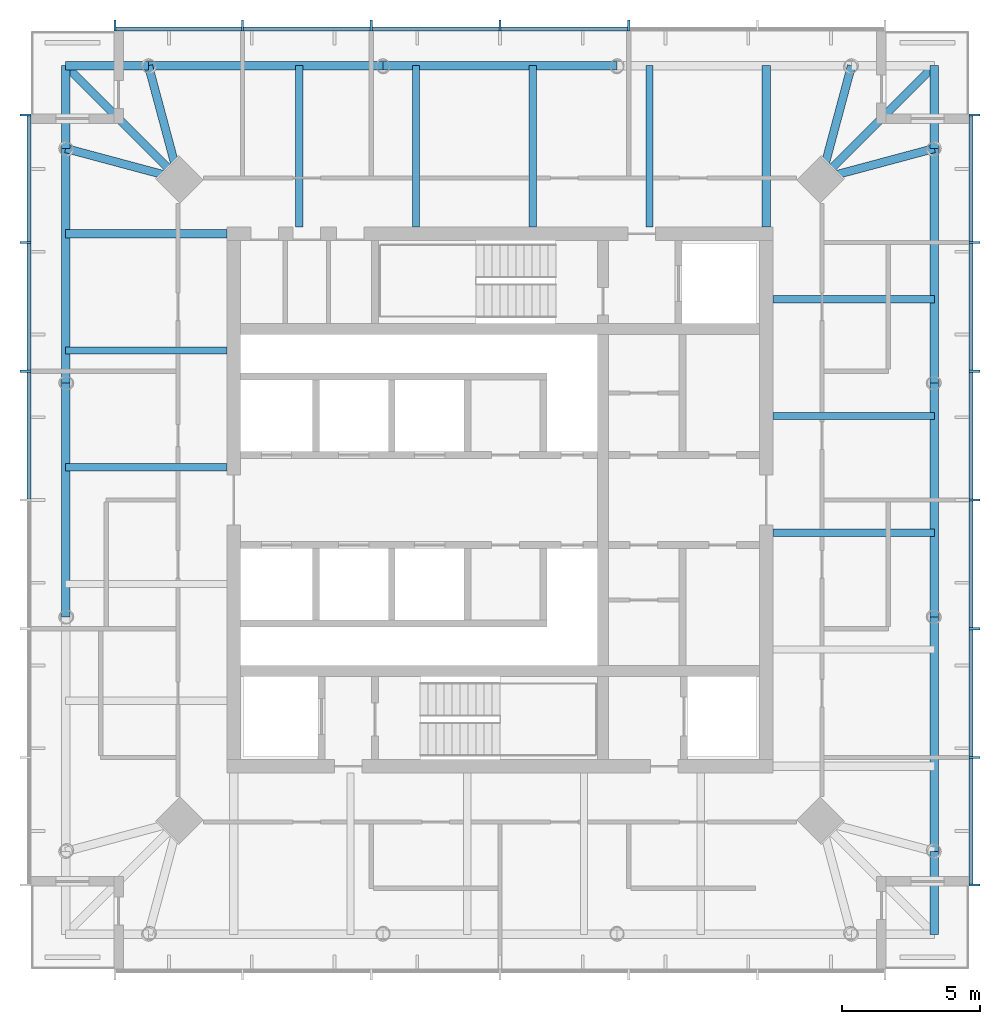
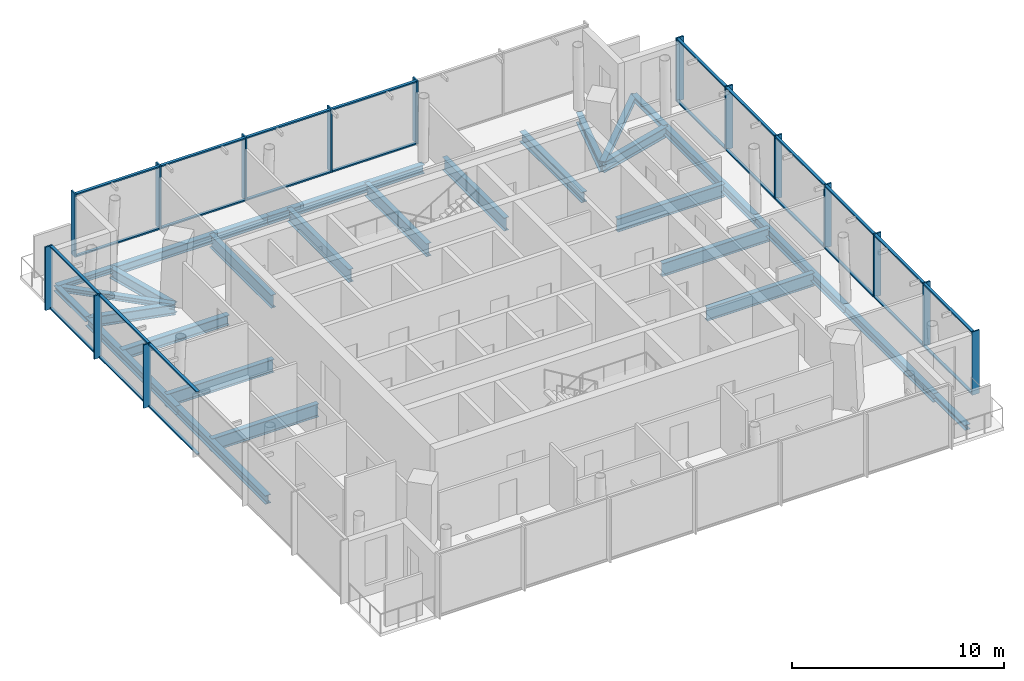
# One storey, part 2 of 7: 41 members, 28 beams, 3 elements without a shape of their own.
"""IFC4 building model written with IfcOpenShell, lengths in metres."""

from ifc_helpers import new_model, si_unit, direction, frame, origin, origin_2d, place, context, subcontext, project, spatial, rectangle, i_section, extrude, material, material_profile, profile_set, type_object, element, aggregate, save


model = new_model("IFC4")

# Units and contexts
model_context = context("Model", 3, precision=1e-05, world=origin(), true_north=direction((0.0, 1.0)))
body_context = subcontext(model_context, "Body", "Model", "MODEL_VIEW")
ifc_project = project(units=[si_unit("LENGTHUNIT", "METRE"), si_unit("AREAUNIT", "SQUARE_METRE"), si_unit("VOLUMEUNIT", "CUBIC_METRE"), si_unit("PLANEANGLEUNIT", "RADIAN"), si_unit("MASSUNIT", "GRAM", prefix="KILO")], contexts=[model_context])

# Site, building, storey
site_placement = place(None, origin())
site = spatial("IfcSite", under=ifc_project, at=site_placement, CompositionType="ELEMENT")
building_placement = place(site_placement, origin())
building = spatial("IfcBuilding", under=site, at=building_placement, Name="Ostroluk Exchange", CompositionType="ELEMENT")
storey_placement = place(building_placement, frame((0.0, 0.0, 279.39990234375)))
storey = spatial("IfcBuildingStorey", under=building, at=storey_placement, Name="L72", CompositionType="ELEMENT", Elevation=279.39990234375)

# Beams
ifc_material_1 = material(Name="Steel S355", Category="steel")
ifc_material_profile_1 = material_profile(ifc_material_1, i_section(OverallWidth=0.300048828125, OverallDepth=0.300048828125, WebThickness=0.010986328125, FlangeThickness=0.01904296875, FilletRadius=0.027099609375, at=origin_2d()), Name="HEB 300")
ifc_profile_set_1 = profile_set([ifc_material_profile_1], Name="Steel S355")
beam_type_1 = type_object("IfcBeamType", Name="Balcony beam HEB 300", PredefinedType="BEAM", material=ifc_profile_set_1)
beam_1_placement = place(storey_placement, frame((60.742919921875, 58.742919921875, -0.329833984375), z_axis=(0.0, 1.0, 0.0), x_axis=(-1.0, 0.0, 0.0)))
element("IfcBeam", 1, at=beam_1_placement, inside=storey, type_object=beam_type_1, Name="T1 east balcony beam a", PredefinedType="BEAM", context=body_context, shape_type="SweptSolid", body=[
    extrude(i_section(OverallWidth=0.300048828125, OverallDepth=0.300048828125, WebThickness=0.010986328125, FlangeThickness=0.01904296875, FilletRadius=0.027099609375, at=origin_2d()), origin(), (0.0, 0.0, 1.0), 3.0),
])
beam_2_placement = place(storey_placement, frame((56.642822265625, 57.642822265625, -0.329833984375), z_axis=(0.707106781187, 0.707106781187, 0.0), x_axis=(-0.707106781187, 0.707106781187, 0.0)))
element("IfcBeam", 2, at=beam_2_placement, inside=storey, type_object=beam_type_1, Name="T1 east balcony beam c", PredefinedType="BEAM", context=body_context, shape_type="SweptSolid", body=[
    extrude(i_section(OverallWidth=0.300048828125, OverallDepth=0.300048828125, WebThickness=0.010986328125, FlangeThickness=0.01904296875, FilletRadius=0.027099609375, at=origin_2d()), origin(), (0.0, 0.0, 1.0), 5.79833984375),
])
for number, where, z_axis, x_axis, name in (
    (3, (32.257080078125, 61.742919921875, -0.329833984375), (-1.0, 0.0, 0.0), (0.0, -1.0, 0.0), "T1 north balcony beam a"),
    (4, (29.257080078125, 58.742919921875, -0.329833984375), (0.0, 1.0, 0.0), (-1.0, 0.0, 0.0), "T1 north balcony beam b"),
):
    element("IfcBeam", number, at=place(storey_placement, frame(where, z_axis=z_axis, x_axis=x_axis)), inside=storey, type_object=beam_type_1, Name=name, PredefinedType="BEAM", context=body_context, shape_type="SweptSolid", body=[
        extrude(i_section(OverallWidth=0.300048828125, OverallDepth=0.300048828125, WebThickness=0.010986328125, FlangeThickness=0.01904296875, FilletRadius=0.027099609375, at=origin_2d()), origin(), (0.0, 0.0, 1.0), 3.0),
    ])
beam_3_placement = place(storey_placement, frame((33.357177734375, 57.642822265625, -0.329833984375), z_axis=(-0.707106781187, 0.707106781187, 0.0), x_axis=(-0.707106781187, -0.707106781187, 0.0)))
element("IfcBeam", 5, at=beam_3_placement, inside=storey, type_object=beam_type_1, Name="T1 north balcony beam c", PredefinedType="BEAM", context=body_context, shape_type="SweptSolid", body=[
    extrude(i_section(OverallWidth=0.300048828125, OverallDepth=0.300048828125, WebThickness=0.010986328125, FlangeThickness=0.01904296875, FilletRadius=0.027099609375, at=origin_2d()), origin(), (0.0, 0.0, 1.0), 5.79833984375),
])
beam_4_placement = place(storey_placement, frame((60.742919921875, 33.257080078125, -0.329833984375), z_axis=(0.0, -1.0, 0.0), x_axis=(1.0, 0.0, 0.0)))
element("IfcBeam", 6, at=beam_4_placement, inside=storey, type_object=beam_type_1, Name="T1 south balcony beam b", PredefinedType="BEAM", context=body_context, shape_type="SweptSolid", body=[
    extrude(i_section(OverallWidth=0.300048828125, OverallDepth=0.300048828125, WebThickness=0.010986328125, FlangeThickness=0.01904296875, FilletRadius=0.027099609375, at=origin_2d()), origin(), (0.0, 0.0, 1.0), 3.0),
])
ifc_material_2 = material(Name="Steel S355", Category="steel")
ifc_material_profile_2 = material_profile(ifc_material_2, i_section(OverallWidth=0.300048828125, OverallDepth=0.60009765625, WebThickness=0.015380859375, FlangeThickness=0.030029296875, FilletRadius=0.027099609375, at=origin_2d()), Name="HEB 600")
ifc_profile_set_2 = profile_set([ifc_material_profile_2], Name="Steel S355")
beam_type_2 = type_object("IfcBeamType", Name="Corner edge beam HEB 600", PredefinedType="SPANDREL", material=ifc_profile_set_2)
for number, where, z_axis, x_axis, name in (
    (7, (56.642822265625, 57.642822265625, -0.47998046875), (0.965838624319, 0.259144268261, 0.0), (-0.259144268261, 0.965838624319, 0.0), "T1 east corner edge beam a"),
    (8, (56.642822265625, 57.642822265625, -0.47998046875), (0.259144268261, 0.965838624319, 0.0), (-0.965838624319, 0.259144268261, 0.0), "T1 east corner edge beam b"),
    (9, (33.357177734375, 57.642822265625, -0.47998046875), (-0.259144268261, 0.965838624319, 0.0), (-0.965838624319, -0.259144268261, 0.0), "T1 north corner edge beam a"),
    (10, (33.357177734375, 57.642822265625, -0.47998046875), (-0.965838624319, 0.259144268261, 0.0), (-0.259144268261, -0.965838624319, 0.0), "T1 north corner edge beam b"),
):
    element("IfcBeam", number, at=place(storey_placement, frame(where, z_axis=z_axis, x_axis=x_axis)), inside=storey, type_object=beam_type_2, Name=name, PredefinedType="SPANDREL", context=body_context, shape_type="SweptSolid", body=[
        extrude(i_section(OverallWidth=0.300048828125, OverallDepth=0.60009765625, WebThickness=0.015380859375, FlangeThickness=0.030029296875, FilletRadius=0.027099609375, at=origin_2d()), origin(), (0.0, 0.0, 1.0), 4.2451171875),
    ])
ifc_material_3 = material(Name="Steel S355", Category="steel")
ifc_material_profile_3 = material_profile(ifc_material_3, i_section(OverallWidth=0.264892578125, OverallDepth=0.7529296875, WebThickness=0.01318359375, FlangeThickness=0.01708984375, FilletRadius=0.01708984375, at=origin_2d()), Name="IPE 750x147")
ifc_profile_set_3 = profile_set([ifc_material_profile_3], Name="Steel S355")
beam_type_3 = type_object("IfcBeamType", Name="Floor beam IPE 750x147", PredefinedType="BEAM", material=ifc_profile_set_3)
for number, where, z_axis, x_axis, name in (
    (11, (54.89990234375, 44.814208984375, -0.556396484375), (1.0, 0.0, 0.0), (0.0, 1.0, 0.0), "T1 east floor beam 2"),
    (12, (54.89990234375, 49.04638671875, -0.556396484375), (1.0, 0.0, 0.0), (0.0, 1.0, 0.0), "T1 east floor beam 3"),
    (13, (54.89990234375, 53.278564453125, -0.556396484375), (1.0, 0.0, 0.0), (0.0, 1.0, 0.0), "T1 east floor beam 4"),
    (14, (50.41796875, 55.89990234375, -0.556396484375), (0.0, 1.0, 0.0), (-1.0, 0.0, 0.0), "T1 north floor beam 1"),
    (15, (46.185791015625, 55.89990234375, -0.556396484375), (0.0, 1.0, 0.0), (-1.0, 0.0, 0.0), "T1 north floor beam 2"),
    (16, (41.95361328125, 55.89990234375, -0.556396484375), (0.0, 1.0, 0.0), (-1.0, 0.0, 0.0), "T1 north floor beam 3"),
    (17, (37.721435546875, 55.89990234375, -0.556396484375), (0.0, 1.0, 0.0), (-1.0, 0.0, 0.0), "T1 north floor beam 4"),
    (18, (35.10009765625, 51.41796875, -0.556396484375), (-1.0, 0.0, 0.0), (0.0, -1.0, 0.0), "T1 west floor beam 1"),
    (19, (35.10009765625, 47.185791015625, -0.556396484375), (-1.0, 0.0, 0.0), (0.0, -1.0, 0.0), "T1 west floor beam 2"),
):
    element("IfcBeam", number, at=place(storey_placement, frame(where, z_axis=z_axis, x_axis=x_axis)), inside=storey, type_object=beam_type_3, Name=name, PredefinedType="BEAM", context=body_context, shape_type="SweptSolid", body=[
        extrude(i_section(OverallWidth=0.264892578125, OverallDepth=0.7529296875, WebThickness=0.01318359375, FlangeThickness=0.01708984375, FilletRadius=0.01708984375, at=origin_2d()), origin(), (0.0, 0.0, 1.0), 5.843017578125),
    ])
ifc_material_4 = material(Name="Steel S355", Category="steel")
ifc_material_profile_4 = material_profile(ifc_material_4, i_section(OverallWidth=0.300048828125, OverallDepth=0.60009765625, WebThickness=0.015380859375, FlangeThickness=0.030029296875, FilletRadius=0.027099609375, at=origin_2d()), Name="HEB 600")
ifc_profile_set_4 = profile_set([ifc_material_profile_4], Name="Steel S355")
beam_type_4 = type_object("IfcBeamType", Name="Girder HEB 600", PredefinedType="BEAM", material=ifc_profile_set_4)
for number, where, z_axis, x_axis, name in (
    (20, (54.64990234375, 55.89990234375, -0.47998046875), (0.0, 1.0, 0.0), (-1.0, 0.0, 0.0), "T1 east girder"),
    (21, (35.10009765625, 55.64990234375, -0.47998046875), (-1.0, 0.0, 0.0), (0.0, -1.0, 0.0), "T1 north girder"),
):
    element("IfcBeam", number, at=place(storey_placement, frame(where, z_axis=z_axis, x_axis=x_axis)), inside=storey, type_object=beam_type_4, Name=name, PredefinedType="BEAM", context=body_context, shape_type="SweptSolid", body=[
        extrude(i_section(OverallWidth=0.300048828125, OverallDepth=0.60009765625, WebThickness=0.015380859375, FlangeThickness=0.030029296875, FilletRadius=0.027099609375, at=origin_2d()), origin(), (0.0, 0.0, 1.0), 5.843017578125),
    ])
ifc_material_5 = material(Name="Steel S355", Category="steel")
ifc_material_profile_5 = material_profile(ifc_material_5, i_section(OverallWidth=0.300048828125, OverallDepth=0.5, WebThickness=0.014404296875, FlangeThickness=0.028076171875, FilletRadius=0.027099609375, at=origin_2d()), Name="HEB 500")
ifc_profile_set_5 = profile_set([ifc_material_profile_5], Name="Steel S355")
beam_type_5 = type_object("IfcBeamType", Name="Moment-connected edge beam HEB 500", PredefinedType="SPANDREL", material=ifc_profile_set_5)
beam_5_placement = place(storey_placement, frame((60.742919921875, 33.257080078125, -0.429931640625), z_axis=(0.0, 1.0, 0.0), x_axis=(-1.0, 0.0, 0.0)))
element("IfcBeam", 22, at=beam_5_placement, inside=storey, type_object=beam_type_5, Name="T1 east edge beam 1", PredefinedType="SPANDREL", context=body_context, shape_type="SweptSolid", body=[
    extrude(i_section(OverallWidth=0.300048828125, OverallDepth=0.5, WebThickness=0.014404296875, FlangeThickness=0.028076171875, FilletRadius=0.027099609375, at=origin_2d()), origin(), (0.0, 0.0, 1.0), 8.495361328125),
])
beam_6_placement = place(storey_placement, frame((60.742919921875, 41.75244140625, -0.429931640625), z_axis=(0.0, 1.0, 0.0), x_axis=(-1.0, 0.0, 0.0)))
element("IfcBeam", 23, at=beam_6_placement, inside=storey, type_object=beam_type_5, Name="T1 east edge beam 2", PredefinedType="SPANDREL", context=body_context, shape_type="SweptSolid", body=[
    extrude(i_section(OverallWidth=0.300048828125, OverallDepth=0.5, WebThickness=0.014404296875, FlangeThickness=0.028076171875, FilletRadius=0.027099609375, at=origin_2d()), origin(), (0.0, 0.0, 1.0), 8.4951171875),
])
beam_7_placement = place(storey_placement, frame((60.742919921875, 50.24755859375, -0.429931640625), z_axis=(0.0, 1.0, 0.0), x_axis=(-1.0, 0.0, 0.0)))
element("IfcBeam", 24, at=beam_7_placement, inside=storey, type_object=beam_type_5, Name="T1 east edge beam 3", PredefinedType="SPANDREL", context=body_context, shape_type="SweptSolid", body=[
    extrude(i_section(OverallWidth=0.300048828125, OverallDepth=0.5, WebThickness=0.014404296875, FlangeThickness=0.028076171875, FilletRadius=0.027099609375, at=origin_2d()), origin(), (0.0, 0.0, 1.0), 8.495361328125),
])
beam_8_placement = place(storey_placement, frame((49.24755859375, 61.742919921875, -0.429931640625), z_axis=(-1.0, 0.0, 0.0), x_axis=(0.0, -1.0, 0.0)))
element("IfcBeam", 25, at=beam_8_placement, inside=storey, type_object=beam_type_5, Name="T1 north edge beam 2", PredefinedType="SPANDREL", context=body_context, shape_type="SweptSolid", body=[
    extrude(i_section(OverallWidth=0.300048828125, OverallDepth=0.5, WebThickness=0.014404296875, FlangeThickness=0.028076171875, FilletRadius=0.027099609375, at=origin_2d()), origin(), (0.0, 0.0, 1.0), 8.4951171875),
])
for number, where, z_axis, x_axis, name in (
    (26, (40.75244140625, 61.742919921875, -0.429931640625), (-1.0, 0.0, 0.0), (0.0, -1.0, 0.0), "T1 north edge beam 3"),
    (27, (29.257080078125, 58.742919921875, -0.429931640625), (0.0, -1.0, 0.0), (1.0, 0.0, 0.0), "T1 west edge beam 1"),
):
    element("IfcBeam", number, at=place(storey_placement, frame(where, z_axis=z_axis, x_axis=x_axis)), inside=storey, type_object=beam_type_5, Name=name, PredefinedType="SPANDREL", context=body_context, shape_type="SweptSolid", body=[
        extrude(i_section(OverallWidth=0.300048828125, OverallDepth=0.5, WebThickness=0.014404296875, FlangeThickness=0.028076171875, FilletRadius=0.027099609375, at=origin_2d()), origin(), (0.0, 0.0, 1.0), 8.495361328125),
    ])
beam_9_placement = place(storey_placement, frame((29.257080078125, 50.24755859375, -0.429931640625), z_axis=(0.0, -1.0, 0.0), x_axis=(1.0, 0.0, 0.0)))
element("IfcBeam", 28, at=beam_9_placement, inside=storey, type_object=beam_type_5, Name="T1 west edge beam 2", PredefinedType="SPANDREL", context=body_context, shape_type="SweptSolid", body=[
    extrude(i_section(OverallWidth=0.300048828125, OverallDepth=0.5, WebThickness=0.014404296875, FlangeThickness=0.028076171875, FilletRadius=0.027099609375, at=origin_2d()), origin(), (0.0, 0.0, 1.0), 8.4951171875),
])

# Curtain wall, members
ifc_material_6 = material(Name="Laminated clear glass", Category="glass")
curtain_wall_type = type_object("IfcCurtainWallType", Name="Office tower facade", PredefinedType="USERDEFINED", material=ifc_material_6)
curtain_wall_1_placement = place(storey_placement, origin())
curtain_wall_1 = element("IfcCurtainWall", 29, at=curtain_wall_1_placement, inside=storey, type_object=curtain_wall_type, Name="Office tower east facade L72", ObjectType="UNITISED CURTAIN WALL", PredefinedType="USERDEFINED")
ifc_material_7 = material(Name="Aluminium mullion", Category="aluminium")
ifc_material_profile_6 = material_profile(ifc_material_7, rectangle(XDim=0.14990234375, YDim=0.080078125, at=origin_2d()), Name="Sill transom 80 x 150")
ifc_profile_set_6 = profile_set([ifc_material_profile_6], Name="Aluminium mullion")
member_type_1 = type_object("IfcMemberType", Name="Sill transom 80 x 150", PredefinedType="USERDEFINED", material=ifc_profile_set_6)
member_1_placement = place(storey_placement, frame((62.074951171875, 32.080078125, 0.0400390625), z_axis=(0.0, 1.0, 0.0), x_axis=(-1.0, 0.0, 0.0)))
member_1 = element("IfcMember", 30, at=member_1_placement, type_object=member_type_1, Name="CW-O1 transom 1.1", ObjectType="TRANSOM", PredefinedType="USERDEFINED", context=body_context, shape_type="SweptSolid", body=[
    extrude(rectangle(XDim=0.14990234375, YDim=0.080078125, at=origin_2d()), origin(), (0.0, 0.0, 1.0), 4.546630859375),
])
member_2_placement = place(storey_placement, frame((62.074951171875, 32.080078125, 3.610107421875), z_axis=(0.0, 1.0, 0.0), x_axis=(-1.0, 0.0, 0.0)))
member_2 = element("IfcMember", 31, at=member_2_placement, type_object=member_type_1, Name="CW-O1 transom 1.2", ObjectType="TRANSOM", PredefinedType="USERDEFINED", context=body_context, shape_type="SweptSolid", body=[
    extrude(rectangle(XDim=0.14990234375, YDim=0.080078125, at=origin_2d()), origin(), (0.0, 0.0, 1.0), 4.546630859375),
])
member_3_placement = place(storey_placement, frame((62.074951171875, 36.706787109375, 0.0400390625), z_axis=(0.0, 1.0, 0.0), x_axis=(-1.0, 0.0, 0.0)))
member_3 = element("IfcMember", 32, at=member_3_placement, type_object=member_type_1, Name="CW-O1 transom 2.1", ObjectType="TRANSOM", PredefinedType="USERDEFINED", context=body_context, shape_type="SweptSolid", body=[
    extrude(rectangle(XDim=0.14990234375, YDim=0.080078125, at=origin_2d()), origin(), (0.0, 0.0, 1.0), 4.58642578125),
])
member_4_placement = place(storey_placement, frame((62.074951171875, 36.706787109375, 3.610107421875), z_axis=(0.0, 1.0, 0.0), x_axis=(-1.0, 0.0, 0.0)))
member_4 = element("IfcMember", 33, at=member_4_placement, type_object=member_type_1, Name="CW-O1 transom 2.2", ObjectType="TRANSOM", PredefinedType="USERDEFINED", context=body_context, shape_type="SweptSolid", body=[
    extrude(rectangle(XDim=0.14990234375, YDim=0.080078125, at=origin_2d()), origin(), (0.0, 0.0, 1.0), 4.58642578125),
])
member_5_placement = place(storey_placement, frame((62.074951171875, 41.373291015625, 0.0400390625), z_axis=(0.0, 1.0, 0.0), x_axis=(-1.0, 0.0, 0.0)))
member_5 = element("IfcMember", 34, at=member_5_placement, type_object=member_type_1, Name="CW-O1 transom 3.1", ObjectType="TRANSOM", PredefinedType="USERDEFINED", context=body_context, shape_type="SweptSolid", body=[
    extrude(rectangle(XDim=0.14990234375, YDim=0.080078125, at=origin_2d()), origin(), (0.0, 0.0, 1.0), 4.586669921875),
])
member_6_placement = place(storey_placement, frame((62.074951171875, 41.373291015625, 3.610107421875), z_axis=(0.0, 1.0, 0.0), x_axis=(-1.0, 0.0, 0.0)))
member_6 = element("IfcMember", 35, at=member_6_placement, type_object=member_type_1, Name="CW-O1 transom 3.2", ObjectType="TRANSOM", PredefinedType="USERDEFINED", context=body_context, shape_type="SweptSolid", body=[
    extrude(rectangle(XDim=0.14990234375, YDim=0.080078125, at=origin_2d()), origin(), (0.0, 0.0, 1.0), 4.586669921875),
])
member_7_placement = place(storey_placement, frame((62.074951171875, 46.0400390625, 0.0400390625), z_axis=(0.0, 1.0, 0.0), x_axis=(-1.0, 0.0, 0.0)))
member_7 = element("IfcMember", 36, at=member_7_placement, type_object=member_type_1, Name="CW-O1 transom 4.1", ObjectType="TRANSOM", PredefinedType="USERDEFINED", context=body_context, shape_type="SweptSolid", body=[
    extrude(rectangle(XDim=0.14990234375, YDim=0.080078125, at=origin_2d()), origin(), (0.0, 0.0, 1.0), 4.586669921875),
])
member_8_placement = place(storey_placement, frame((62.074951171875, 46.0400390625, 3.610107421875), z_axis=(0.0, 1.0, 0.0), x_axis=(-1.0, 0.0, 0.0)))
member_8 = element("IfcMember", 37, at=member_8_placement, type_object=member_type_1, Name="CW-O1 transom 4.2", ObjectType="TRANSOM", PredefinedType="USERDEFINED", context=body_context, shape_type="SweptSolid", body=[
    extrude(rectangle(XDim=0.14990234375, YDim=0.080078125, at=origin_2d()), origin(), (0.0, 0.0, 1.0), 4.586669921875),
])
member_9_placement = place(storey_placement, frame((62.074951171875, 50.706787109375, 0.0400390625), z_axis=(0.0, 1.0, 0.0), x_axis=(-1.0, 0.0, 0.0)))
member_9 = element("IfcMember", 38, at=member_9_placement, type_object=member_type_1, Name="CW-O1 transom 5.1", ObjectType="TRANSOM", PredefinedType="USERDEFINED", context=body_context, shape_type="SweptSolid", body=[
    extrude(rectangle(XDim=0.14990234375, YDim=0.080078125, at=origin_2d()), origin(), (0.0, 0.0, 1.0), 4.58642578125),
])
member_10_placement = place(storey_placement, frame((62.074951171875, 50.706787109375, 3.610107421875), z_axis=(0.0, 1.0, 0.0), x_axis=(-1.0, 0.0, 0.0)))
member_10 = element("IfcMember", 39, at=member_10_placement, type_object=member_type_1, Name="CW-O1 transom 5.2", ObjectType="TRANSOM", PredefinedType="USERDEFINED", context=body_context, shape_type="SweptSolid", body=[
    extrude(rectangle(XDim=0.14990234375, YDim=0.080078125, at=origin_2d()), origin(), (0.0, 0.0, 1.0), 4.58642578125),
])
member_11_placement = place(storey_placement, frame((62.074951171875, 55.373291015625, 0.0400390625), z_axis=(0.0, 1.0, 0.0), x_axis=(-1.0, 0.0, 0.0)))
member_11 = element("IfcMember", 40, at=member_11_placement, type_object=member_type_1, Name="CW-O1 transom 6.1", ObjectType="TRANSOM", PredefinedType="USERDEFINED", context=body_context, shape_type="SweptSolid", body=[
    extrude(rectangle(XDim=0.14990234375, YDim=0.080078125, at=origin_2d()), origin(), (0.0, 0.0, 1.0), 4.546630859375),
])
member_12_placement = place(storey_placement, frame((62.074951171875, 55.373291015625, 3.610107421875), z_axis=(0.0, 1.0, 0.0), x_axis=(-1.0, 0.0, 0.0)))
member_12 = element("IfcMember", 41, at=member_12_placement, type_object=member_type_1, Name="CW-O1 transom 6.2", ObjectType="TRANSOM", PredefinedType="USERDEFINED", context=body_context, shape_type="SweptSolid", body=[
    extrude(rectangle(XDim=0.14990234375, YDim=0.080078125, at=origin_2d()), origin(), (0.0, 0.0, 1.0), 4.546630859375),
])

curtain_wall_2_placement = place(storey_placement, origin())
curtain_wall_2 = element("IfcCurtainWall", 42, at=curtain_wall_2_placement, inside=storey, type_object=curtain_wall_type, Name="Office tower north facade L72", ObjectType="UNITISED CURTAIN WALL", PredefinedType="USERDEFINED")
member_13_placement = place(storey_placement, frame((49.626708984375, 63.074951171875, 0.0400390625), z_axis=(-1.0, 0.0, 0.0), x_axis=(0.0, -1.0, 0.0)))
member_13 = element("IfcMember", 43, at=member_13_placement, type_object=member_type_1, Name="CW-O1 transom 3.1", ObjectType="TRANSOM", PredefinedType="USERDEFINED", context=body_context, shape_type="SweptSolid", body=[
    extrude(rectangle(XDim=0.14990234375, YDim=0.080078125, at=origin_2d()), origin(), (0.0, 0.0, 1.0), 4.586669921875),
])
member_14_placement = place(storey_placement, frame((49.626708984375, 63.074951171875, 3.610107421875), z_axis=(-1.0, 0.0, 0.0), x_axis=(0.0, -1.0, 0.0)))
member_14 = element("IfcMember", 44, at=member_14_placement, type_object=member_type_1, Name="CW-O1 transom 3.2", ObjectType="TRANSOM", PredefinedType="USERDEFINED", context=body_context, shape_type="SweptSolid", body=[
    extrude(rectangle(XDim=0.14990234375, YDim=0.080078125, at=origin_2d()), origin(), (0.0, 0.0, 1.0), 4.586669921875),
])
member_15_placement = place(storey_placement, frame((44.9599609375, 63.074951171875, 0.0400390625), z_axis=(-1.0, 0.0, 0.0), x_axis=(0.0, -1.0, 0.0)))
member_15 = element("IfcMember", 45, at=member_15_placement, type_object=member_type_1, Name="CW-O1 transom 4.1", ObjectType="TRANSOM", PredefinedType="USERDEFINED", context=body_context, shape_type="SweptSolid", body=[
    extrude(rectangle(XDim=0.14990234375, YDim=0.080078125, at=origin_2d()), origin(), (0.0, 0.0, 1.0), 4.586669921875),
])
member_16_placement = place(storey_placement, frame((44.9599609375, 63.074951171875, 3.610107421875), z_axis=(-1.0, 0.0, 0.0), x_axis=(0.0, -1.0, 0.0)))
member_16 = element("IfcMember", 46, at=member_16_placement, type_object=member_type_1, Name="CW-O1 transom 4.2", ObjectType="TRANSOM", PredefinedType="USERDEFINED", context=body_context, shape_type="SweptSolid", body=[
    extrude(rectangle(XDim=0.14990234375, YDim=0.080078125, at=origin_2d()), origin(), (0.0, 0.0, 1.0), 4.586669921875),
])
member_17_placement = place(storey_placement, frame((40.293212890625, 63.074951171875, 0.0400390625), z_axis=(-1.0, 0.0, 0.0), x_axis=(0.0, -1.0, 0.0)))
member_17 = element("IfcMember", 47, at=member_17_placement, type_object=member_type_1, Name="CW-O1 transom 5.1", ObjectType="TRANSOM", PredefinedType="USERDEFINED", context=body_context, shape_type="SweptSolid", body=[
    extrude(rectangle(XDim=0.14990234375, YDim=0.080078125, at=origin_2d()), origin(), (0.0, 0.0, 1.0), 4.58642578125),
])
member_18_placement = place(storey_placement, frame((40.293212890625, 63.074951171875, 3.610107421875), z_axis=(-1.0, 0.0, 0.0), x_axis=(0.0, -1.0, 0.0)))
member_18 = element("IfcMember", 48, at=member_18_placement, type_object=member_type_1, Name="CW-O1 transom 5.2", ObjectType="TRANSOM", PredefinedType="USERDEFINED", context=body_context, shape_type="SweptSolid", body=[
    extrude(rectangle(XDim=0.14990234375, YDim=0.080078125, at=origin_2d()), origin(), (0.0, 0.0, 1.0), 4.58642578125),
])
member_19_placement = place(storey_placement, frame((35.626708984375, 63.074951171875, 0.0400390625), z_axis=(-1.0, 0.0, 0.0), x_axis=(0.0, -1.0, 0.0)))
member_19 = element("IfcMember", 49, at=member_19_placement, type_object=member_type_1, Name="CW-O1 transom 6.1", ObjectType="TRANSOM", PredefinedType="USERDEFINED", context=body_context, shape_type="SweptSolid", body=[
    extrude(rectangle(XDim=0.14990234375, YDim=0.080078125, at=origin_2d()), origin(), (0.0, 0.0, 1.0), 4.546630859375),
])
member_20_placement = place(storey_placement, frame((35.626708984375, 63.074951171875, 3.610107421875), z_axis=(-1.0, 0.0, 0.0), x_axis=(0.0, -1.0, 0.0)))
member_20 = element("IfcMember", 50, at=member_20_placement, type_object=member_type_1, Name="CW-O1 transom 6.2", ObjectType="TRANSOM", PredefinedType="USERDEFINED", context=body_context, shape_type="SweptSolid", body=[
    extrude(rectangle(XDim=0.14990234375, YDim=0.080078125, at=origin_2d()), origin(), (0.0, 0.0, 1.0), 4.546630859375),
])

curtain_wall_3_placement = place(storey_placement, origin())
curtain_wall_3 = element("IfcCurtainWall", 51, at=curtain_wall_3_placement, inside=storey, type_object=curtain_wall_type, Name="Office tower west facade L72", ObjectType="UNITISED CURTAIN WALL", PredefinedType="USERDEFINED")
member_21_placement = place(storey_placement, frame((27.925048828125, 59.919921875, 0.0400390625), z_axis=(0.0, -1.0, 0.0), x_axis=(1.0, 0.0, 0.0)))
member_21 = element("IfcMember", 52, at=member_21_placement, type_object=member_type_1, Name="CW-O1 transom 1.1", ObjectType="TRANSOM", PredefinedType="USERDEFINED", context=body_context, shape_type="SweptSolid", body=[
    extrude(rectangle(XDim=0.14990234375, YDim=0.080078125, at=origin_2d()), origin(), (0.0, 0.0, 1.0), 4.546630859375),
])
member_22_placement = place(storey_placement, frame((27.925048828125, 59.919921875, 3.610107421875), z_axis=(0.0, -1.0, 0.0), x_axis=(1.0, 0.0, 0.0)))
member_22 = element("IfcMember", 53, at=member_22_placement, type_object=member_type_1, Name="CW-O1 transom 1.2", ObjectType="TRANSOM", PredefinedType="USERDEFINED", context=body_context, shape_type="SweptSolid", body=[
    extrude(rectangle(XDim=0.14990234375, YDim=0.080078125, at=origin_2d()), origin(), (0.0, 0.0, 1.0), 4.546630859375),
])
member_23_placement = place(storey_placement, frame((27.925048828125, 55.293212890625, 0.0400390625), z_axis=(0.0, -1.0, 0.0), x_axis=(1.0, 0.0, 0.0)))
member_23 = element("IfcMember", 54, at=member_23_placement, type_object=member_type_1, Name="CW-O1 transom 2.1", ObjectType="TRANSOM", PredefinedType="USERDEFINED", context=body_context, shape_type="SweptSolid", body=[
    extrude(rectangle(XDim=0.14990234375, YDim=0.080078125, at=origin_2d()), origin(), (0.0, 0.0, 1.0), 4.58642578125),
])
member_24_placement = place(storey_placement, frame((27.925048828125, 55.293212890625, 3.610107421875), z_axis=(0.0, -1.0, 0.0), x_axis=(1.0, 0.0, 0.0)))
member_24 = element("IfcMember", 55, at=member_24_placement, type_object=member_type_1, Name="CW-O1 transom 2.2", ObjectType="TRANSOM", PredefinedType="USERDEFINED", context=body_context, shape_type="SweptSolid", body=[
    extrude(rectangle(XDim=0.14990234375, YDim=0.080078125, at=origin_2d()), origin(), (0.0, 0.0, 1.0), 4.58642578125),
])
member_25_placement = place(storey_placement, frame((27.925048828125, 50.626708984375, 0.0400390625), z_axis=(0.0, -1.0, 0.0), x_axis=(1.0, 0.0, 0.0)))
member_25 = element("IfcMember", 56, at=member_25_placement, type_object=member_type_1, Name="CW-O1 transom 3.1", ObjectType="TRANSOM", PredefinedType="USERDEFINED", context=body_context, shape_type="SweptSolid", body=[
    extrude(rectangle(XDim=0.14990234375, YDim=0.080078125, at=origin_2d()), origin(), (0.0, 0.0, 1.0), 4.586669921875),
])
member_26_placement = place(storey_placement, frame((27.925048828125, 50.626708984375, 3.610107421875), z_axis=(0.0, -1.0, 0.0), x_axis=(1.0, 0.0, 0.0)))
member_26 = element("IfcMember", 57, at=member_26_placement, type_object=member_type_1, Name="CW-O1 transom 3.2", ObjectType="TRANSOM", PredefinedType="USERDEFINED", context=body_context, shape_type="SweptSolid", body=[
    extrude(rectangle(XDim=0.14990234375, YDim=0.080078125, at=origin_2d()), origin(), (0.0, 0.0, 1.0), 4.586669921875),
])

# Member
ifc_material_8 = material(Name="Aluminium mullion with limestone facing", Category="masonry")
ifc_material_profile_7 = material_profile(ifc_material_8, rectangle(XDim=0.39990234375, YDim=0.080078125, at=origin_2d()), Name="Tracery mullion 80 x 400")
ifc_profile_set_7 = profile_set([ifc_material_profile_7], Name="Aluminium mullion with limestone facing")
member_type_2 = type_object("IfcMemberType", Name="Tracery mullion 80 x 400", PredefinedType="MULLION", material=ifc_profile_set_7)
member_27_placement = place(storey_placement, frame((62.199951171875, 32.0400390625, 0.0), z_axis=(0.0, 0.0, 1.0), x_axis=(-1.0, 0.0, 0.0)))
member_27 = element("IfcMember", 58, at=member_27_placement, type_object=member_type_2, Name="CW-O1 mullion 1", PredefinedType="MULLION", context=body_context, shape_type="SweptSolid", body=[
    extrude(rectangle(XDim=0.39990234375, YDim=0.080078125, at=origin_2d()), origin(), (0.0, 0.0, 1.0), 3.650146484375),
])

member_28_placement = place(storey_placement, frame((62.199951171875, 36.666748046875, 0.0), z_axis=(0.0, 0.0, 1.0), x_axis=(-1.0, 0.0, 0.0)))
member_28 = element("IfcMember", 59, at=member_28_placement, type_object=member_type_2, Name="CW-O1 mullion 2", PredefinedType="MULLION", context=body_context, shape_type="SweptSolid", body=[
    extrude(rectangle(XDim=0.39990234375, YDim=0.080078125, at=origin_2d()), origin(), (0.0, 0.0, 1.0), 3.650146484375),
])

member_29_placement = place(storey_placement, frame((62.199951171875, 41.333251953125, 0.0), z_axis=(0.0, 0.0, 1.0), x_axis=(-1.0, 0.0, 0.0)))
member_29 = element("IfcMember", 60, at=member_29_placement, type_object=member_type_2, Name="CW-O1 mullion 3", PredefinedType="MULLION", context=body_context, shape_type="SweptSolid", body=[
    extrude(rectangle(XDim=0.39990234375, YDim=0.080078125, at=origin_2d()), origin(), (0.0, 0.0, 1.0), 3.650146484375),
])

member_30_placement = place(storey_placement, frame((62.199951171875, 46.0, 0.0), z_axis=(0.0, 0.0, 1.0), x_axis=(-1.0, 0.0, 0.0)))
member_30 = element("IfcMember", 61, at=member_30_placement, type_object=member_type_2, Name="CW-O1 mullion 4", PredefinedType="MULLION", context=body_context, shape_type="SweptSolid", body=[
    extrude(rectangle(XDim=0.39990234375, YDim=0.080078125, at=origin_2d()), origin(), (0.0, 0.0, 1.0), 3.650146484375),
])

member_31_placement = place(storey_placement, frame((62.199951171875, 50.666748046875, 0.0), z_axis=(0.0, 0.0, 1.0), x_axis=(-1.0, 0.0, 0.0)))
member_31 = element("IfcMember", 62, at=member_31_placement, type_object=member_type_2, Name="CW-O1 mullion 5", PredefinedType="MULLION", context=body_context, shape_type="SweptSolid", body=[
    extrude(rectangle(XDim=0.39990234375, YDim=0.080078125, at=origin_2d()), origin(), (0.0, 0.0, 1.0), 3.650146484375),
])

member_32_placement = place(storey_placement, frame((62.199951171875, 55.333251953125, 0.0), z_axis=(0.0, 0.0, 1.0), x_axis=(-1.0, 0.0, 0.0)))
member_32 = element("IfcMember", 63, at=member_32_placement, type_object=member_type_2, Name="CW-O1 mullion 6", PredefinedType="MULLION", context=body_context, shape_type="SweptSolid", body=[
    extrude(rectangle(XDim=0.39990234375, YDim=0.080078125, at=origin_2d()), origin(), (0.0, 0.0, 1.0), 3.650146484375),
])

member_33_placement = place(storey_placement, frame((62.199951171875, 59.9599609375, 0.0), z_axis=(0.0, 0.0, 1.0), x_axis=(-1.0, 0.0, 0.0)))
member_33 = element("IfcMember", 64, at=member_33_placement, type_object=member_type_2, Name="CW-O1 mullion 7", PredefinedType="MULLION", context=body_context, shape_type="SweptSolid", body=[
    extrude(rectangle(XDim=0.39990234375, YDim=0.080078125, at=origin_2d()), origin(), (0.0, 0.0, 1.0), 3.650146484375),
])

aggregate(curtain_wall_1, [member_27, member_28, member_29, member_30, member_31, member_32, member_33, member_1, member_2, member_3, member_4, member_5, member_6, member_7, member_8, member_9, member_10, member_11, member_12])

member_34_placement = place(storey_placement, frame((49.666748046875, 63.199951171875, 0.0), z_axis=(0.0, 0.0, 1.0), x_axis=(0.0, -1.0, 0.0)))
member_34 = element("IfcMember", 65, at=member_34_placement, type_object=member_type_2, Name="CW-O1 mullion 3", PredefinedType="MULLION", context=body_context, shape_type="SweptSolid", body=[
    extrude(rectangle(XDim=0.39990234375, YDim=0.080078125, at=origin_2d()), origin(), (0.0, 0.0, 1.0), 3.650146484375),
])

member_35_placement = place(storey_placement, frame((45.0, 63.199951171875, 0.0), z_axis=(0.0, 0.0, 1.0), x_axis=(0.0, -1.0, 0.0)))
member_35 = element("IfcMember", 66, at=member_35_placement, type_object=member_type_2, Name="CW-O1 mullion 4", PredefinedType="MULLION", context=body_context, shape_type="SweptSolid", body=[
    extrude(rectangle(XDim=0.39990234375, YDim=0.080078125, at=origin_2d()), origin(), (0.0, 0.0, 1.0), 3.650146484375),
])

member_36_placement = place(storey_placement, frame((40.333251953125, 63.199951171875, 0.0), z_axis=(0.0, 0.0, 1.0), x_axis=(0.0, -1.0, 0.0)))
member_36 = element("IfcMember", 67, at=member_36_placement, type_object=member_type_2, Name="CW-O1 mullion 5", PredefinedType="MULLION", context=body_context, shape_type="SweptSolid", body=[
    extrude(rectangle(XDim=0.39990234375, YDim=0.080078125, at=origin_2d()), origin(), (0.0, 0.0, 1.0), 3.650146484375),
])

member_37_placement = place(storey_placement, frame((35.666748046875, 63.199951171875, 0.0), z_axis=(0.0, 0.0, 1.0), x_axis=(0.0, -1.0, 0.0)))
member_37 = element("IfcMember", 68, at=member_37_placement, type_object=member_type_2, Name="CW-O1 mullion 6", PredefinedType="MULLION", context=body_context, shape_type="SweptSolid", body=[
    extrude(rectangle(XDim=0.39990234375, YDim=0.080078125, at=origin_2d()), origin(), (0.0, 0.0, 1.0), 3.650146484375),
])

member_38_placement = place(storey_placement, frame((31.0400390625, 63.199951171875, 0.0), z_axis=(0.0, 0.0, 1.0), x_axis=(0.0, -1.0, 0.0)))
member_38 = element("IfcMember", 69, at=member_38_placement, type_object=member_type_2, Name="CW-O1 mullion 7", PredefinedType="MULLION", context=body_context, shape_type="SweptSolid", body=[
    extrude(rectangle(XDim=0.39990234375, YDim=0.080078125, at=origin_2d()), origin(), (0.0, 0.0, 1.0), 3.650146484375),
])

aggregate(curtain_wall_2, [member_34, member_35, member_36, member_37, member_38, member_13, member_14, member_15, member_16, member_17, member_18, member_19, member_20])

member_39_placement = place(storey_placement, frame((27.800048828125, 59.9599609375, 0.0), z_axis=(0.0, 0.0, 1.0), x_axis=(1.0, 0.0, 0.0)))
member_39 = element("IfcMember", 70, at=member_39_placement, type_object=member_type_2, Name="CW-O1 mullion 1", PredefinedType="MULLION", context=body_context, shape_type="SweptSolid", body=[
    extrude(rectangle(XDim=0.39990234375, YDim=0.080078125, at=origin_2d()), origin(), (0.0, 0.0, 1.0), 3.650146484375),
])

member_40_placement = place(storey_placement, frame((27.800048828125, 55.333251953125, 0.0), z_axis=(0.0, 0.0, 1.0), x_axis=(1.0, 0.0, 0.0)))
member_40 = element("IfcMember", 71, at=member_40_placement, type_object=member_type_2, Name="CW-O1 mullion 2", PredefinedType="MULLION", context=body_context, shape_type="SweptSolid", body=[
    extrude(rectangle(XDim=0.39990234375, YDim=0.080078125, at=origin_2d()), origin(), (0.0, 0.0, 1.0), 3.650146484375),
])

member_41_placement = place(storey_placement, frame((27.800048828125, 50.666748046875, 0.0), z_axis=(0.0, 0.0, 1.0), x_axis=(1.0, 0.0, 0.0)))
member_41 = element("IfcMember", 72, at=member_41_placement, type_object=member_type_2, Name="CW-O1 mullion 3", PredefinedType="MULLION", context=body_context, shape_type="SweptSolid", body=[
    extrude(rectangle(XDim=0.39990234375, YDim=0.080078125, at=origin_2d()), origin(), (0.0, 0.0, 1.0), 3.650146484375),
])

aggregate(curtain_wall_3, [member_39, member_40, member_41, member_21, member_22, member_23, member_24, member_25, member_26])

save(model, "model.ifc")
